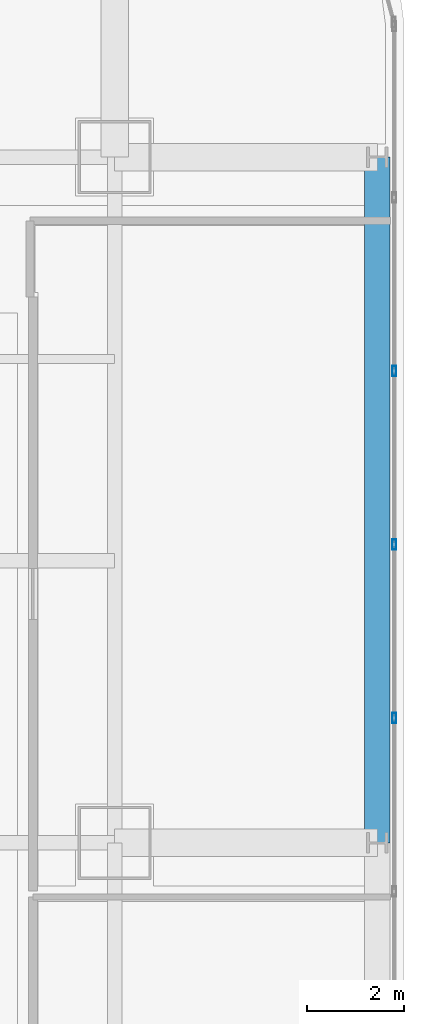
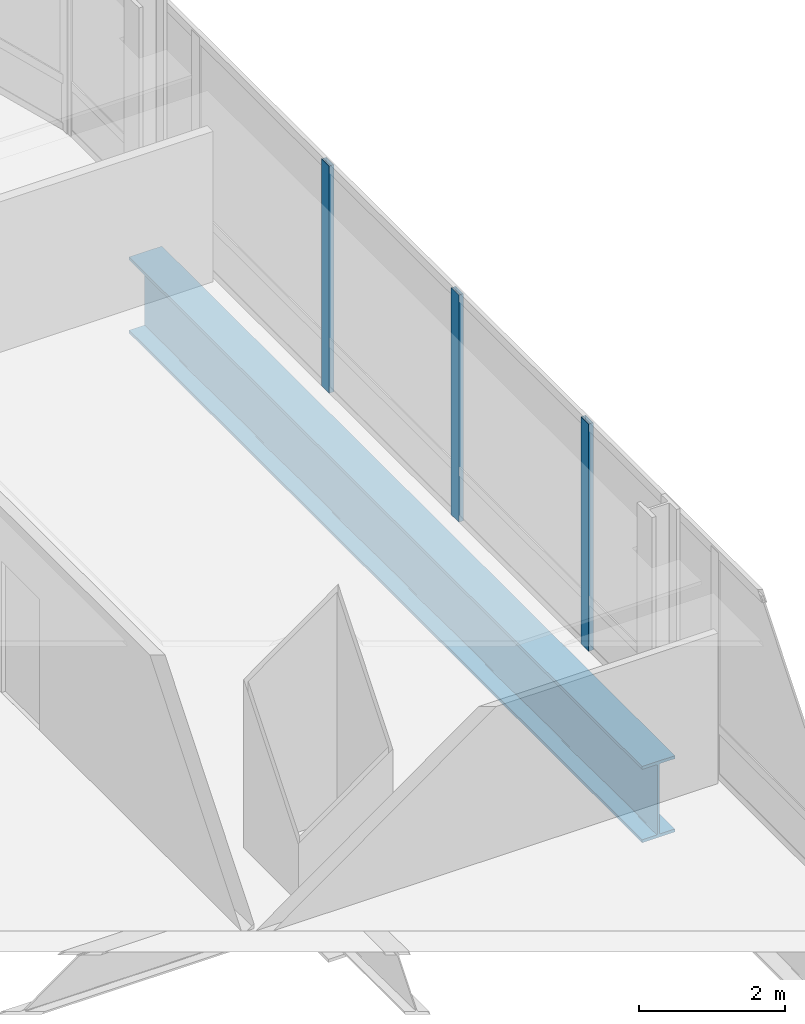
# One storey, part 18 of 34: 3 members, 1 beam, 1 element without a shape of its own.
"""IFC4 building model written with IfcOpenShell, lengths in metres."""

import ifcopenshell
import ifcopenshell.guid

model = None  # the IFC model being written
_history = None  # IfcOwnerHistory: only IFC2X3 demands one
_inside = {}  # id of a spatial element -> (the spatial element, [elements in it])
_under = {}  # id of a project, library or spatial element -> (it, [spatial elements below it])
_declared = {}  # id of a project -> (the project, [libraries it declares])
_typed = {}  # id of a type object -> (the type object, [elements of that type])
_made_of = {}  # id of a material, layer set ... -> (it, [elements and type objects made of it])


def new_model(schema):
    """Start an empty IFC model of exactly this schema.

    Asked for "IFC4X3", IfcOpenShell would pick the latest addendum, in which some entities
    have other attributes; the version numbers below select the first issue.
    IFC2X3 requires an IfcOwnerHistory on every rooted entity: one is made here for all.
    """
    global model, _history
    if schema == "IFC4X3":
        model = ifcopenshell.file(schema_version=(4, 3, 0, 0))
    else:
        model = ifcopenshell.file(schema=schema)
    _inside.clear()
    _under.clear()
    _declared.clear()
    _typed.clear()
    _made_of.clear()
    _history = None
    if model.schema == "IFC2X3":
        org = make("IfcOrganization", Name="unknown")
        user = make(
            "IfcPersonAndOrganization",
            ThePerson=make("IfcPerson", FamilyName="unknown"),
            TheOrganization=org,
        )
        app = make(
            "IfcApplication",
            ApplicationDeveloper=org,
            Version="unknown",
            ApplicationFullName="unknown",
            ApplicationIdentifier="unknown",
        )
        _history = make(
            "IfcOwnerHistory",
            OwningUser=user,
            OwningApplication=app,
            ChangeAction="ADDED",
            CreationDate=0,
        )
    return model


def make(cls, **values):
    """One entity of the class cls with the attributes given. An attribute that is None is left unset."""
    return model.create_entity(
        cls, **{name: value for name, value in values.items() if value is not None}
    )


def rooted(cls, **values):
    """An entity with a GlobalId (a new one), such as an element, a storey or a relation."""
    return make(cls, GlobalId=ifcopenshell.guid.new(), OwnerHistory=_history, **values)


def si_unit(unit_type, name, prefix=None):
    """IfcSIUnit, for example si_unit("LENGTHUNIT", "METRE", prefix="MILLI")."""
    return make("IfcSIUnit", UnitType=unit_type, Prefix=prefix, Name=name)


def assignment(units):
    """IfcUnitAssignment: the units of a project."""
    return None if units is None else make("IfcUnitAssignment", Units=units)


def point(xyz):
    """IfcCartesianPoint."""
    return None if xyz is None else make("IfcCartesianPoint", Coordinates=xyz)


def direction(xyz):
    """IfcDirection."""
    return None if xyz is None else make("IfcDirection", DirectionRatios=xyz)


def frame(location, z_axis=None, x_axis=None):
    """IfcAxis2Placement3D, a coordinate frame: its origin and axes. An axis left out is left unset."""
    return make(
        "IfcAxis2Placement3D",
        Location=point(location),
        Axis=direction(z_axis),
        RefDirection=direction(x_axis),
    )


def frame_2d(location, x_axis=None):
    """IfcAxis2Placement2D, a coordinate frame in the plane: its origin and x axis."""
    return make(
        "IfcAxis2Placement2D", Location=point(location), RefDirection=direction(x_axis)
    )


def origin():
    """The frame at (0, 0, 0) with its axes left unset."""
    return frame((0.0, 0.0, 0.0))


def origin_2d():
    """The frame at (0, 0) in the plane with its x axis left unset."""
    return frame_2d((0.0, 0.0))


def place(relative_to, where):
    """IfcLocalPlacement: puts the frame where relative to a parent placement (None: the world)."""
    return make(
        "IfcLocalPlacement", PlacementRelTo=relative_to, RelativePlacement=where
    )


def context(
    kind, dimensions, precision=None, world=None, true_north=None, identifier=None
):
    """IfcGeometricRepresentationContext, for example the 3D "Model" context."""
    return make(
        "IfcGeometricRepresentationContext",
        ContextIdentifier=identifier,
        ContextType=kind,
        CoordinateSpaceDimension=dimensions,
        Precision=precision,
        WorldCoordinateSystem=world,
        TrueNorth=true_north,
    )


def subcontext(parent, identifier, kind, view, scale=None):
    """IfcGeometricRepresentationSubContext, for example "Body" below "Model"."""
    return make(
        "IfcGeometricRepresentationSubContext",
        ContextIdentifier=identifier,
        ContextType=kind,
        ParentContext=parent,
        TargetScale=scale,
        TargetView=view,
    )


def project(units=None, contexts=None):
    """IfcProject with its units and contexts."""
    return rooted(
        "IfcProject",
        Name="project",
        RepresentationContexts=contexts,
        UnitsInContext=assignment(units),
    )


def spatial(cls, under=None, at=None, **own):
    """A site, building, storey or space (cls), placed at a placement, below another one or the project."""
    s = rooted(cls, ObjectPlacement=at, **own)
    if under is not None:
        _under.setdefault(under.id(), (under, []))[1].append(s)
    return s


def profile(cls, at=None, kind="AREA", **sizes):
    """A parametric profile (cls). Its sizes go by their IFC names, for example OverallWidth=200.0."""
    return make(cls, ProfileType=kind, Position=at, **sizes)


def hollow_rectangle(**sizes):
    """IfcRectangleHollowProfileDef."""
    return profile("IfcRectangleHollowProfileDef", **sizes)


def i_section(**sizes):
    """IfcIShapeProfileDef."""
    return profile("IfcIShapeProfileDef", **sizes)


def extrude(swept, where, along, depth):
    """IfcExtrudedAreaSolid: the profile swept, set in the frame where, extruded along a direction by depth."""
    return make(
        "IfcExtrudedAreaSolid",
        SweptArea=swept,
        Position=where,
        ExtrudedDirection=direction(along),
        Depth=depth,
    )


def shape(context_of_items, identifier, shape_type, items):
    """IfcShapeRepresentation: the items that make up one representation, for example the "Body"."""
    return make(
        "IfcShapeRepresentation",
        ContextOfItems=context_of_items,
        RepresentationIdentifier=identifier,
        RepresentationType=shape_type,
        Items=items,
    )


def material(Name=None, Category=None):
    """IfcMaterial."""
    return make("IfcMaterial", Name=Name, Category=Category)


def material_profile(
    of_material, cross_section, Name=None, Category=None, Priority=None
):
    """IfcMaterialProfile: a cross section and its material."""
    return make(
        "IfcMaterialProfile",
        Name=Name,
        Material=of_material,
        Profile=cross_section,
        Priority=Priority,
        Category=Category,
    )


def profile_set(profiles, Name=None, composite=None):
    """IfcMaterialProfileSet."""
    return make(
        "IfcMaterialProfileSet",
        Name=Name,
        MaterialProfiles=profiles,
        CompositeProfile=composite,
    )


def made_of(thing, what):
    """Note that an element or type object is made of a material, layer set ...; save() writes the relation."""
    if what is not None:
        _made_of.setdefault(what.id(), (what, []))[1].append(thing)
    return thing


def type_object(cls, material=None, **own):
    """A type object (cls), such as IfcWallType, which elements share."""
    return made_of(rooted(cls, **own), material)


def element(
    cls,
    number,
    at=None,
    inside=None,
    cuts=None,
    type_object=None,
    material=None,
    context=None,
    identifier="Body",
    shape_type=None,
    held_by="IfcProductDefinitionShape",
    body=None,
    shapes=None,
    **own,
):
    """One element of the class cls, such as IfcWall. Its Tag is "e" and its number.

    at: its placement. inside: the storey or other place that contains it. cuts: it is an
    opening in that element (IfcRelVoidsElement). A single representation is given by context,
    identifier, shape_type and body (its items); several are given by shapes. held_by: the class
    of the entity that holds the representations. save() writes the other relations.
    """
    e = rooted(cls, Tag="e%d" % number, ObjectPlacement=at, **own)
    if body is not None:
        shapes = [shape(context, identifier, shape_type, body)]
    if shapes is not None:
        e.Representation = make(held_by, Representations=shapes)
    if inside is not None:
        _inside.setdefault(inside.id(), (inside, []))[1].append(e)
    if cuts is not None:
        rooted(
            "IfcRelVoidsElement", RelatingBuildingElement=cuts, RelatedOpeningElement=e
        )
    if type_object is not None:
        _typed.setdefault(type_object.id(), (type_object, []))[1].append(e)
    return made_of(e, material)


def aggregate(whole, parts):
    """IfcRelAggregates: a whole, such as a stair, and the parts it consists of."""
    return rooted("IfcRelAggregates", RelatingObject=whole, RelatedObjects=parts)


def save(model, path):
    """Write the relations noted so far, then the file.

    IfcRelAggregates (storeys below a building ...), IfcRelContainedInSpatialStructure (elements
    in a storey), IfcRelDefinesByType, IfcRelAssociatesMaterial and IfcRelDeclares: one each for
    every whole, place, type object, material and project.
    """
    for whole, parts in _under.values():
        aggregate(whole, parts)
    for where, things in _inside.values():
        rooted(
            "IfcRelContainedInSpatialStructure",
            RelatedElements=things,
            RelatingStructure=where,
        )
    for kind, things in _typed.values():
        rooted("IfcRelDefinesByType", RelatedObjects=things, RelatingType=kind)
    for what, things in _made_of.values():
        rooted("IfcRelAssociatesMaterial", RelatedObjects=things, RelatingMaterial=what)
    for by, libraries in _declared.values():
        rooted("IfcRelDeclares", RelatingContext=by, RelatedDefinitions=libraries)
    model.write(path)


model = new_model("IFC4")

# Units and contexts
model_context = context("Model", 3, precision=1e-05, world=origin(), true_north=direction((0.0, 1.0)))
body_context = subcontext(model_context, "Body", "Model", "MODEL_VIEW")
ifc_project = project(units=[si_unit("LENGTHUNIT", "METRE"), si_unit("AREAUNIT", "SQUARE_METRE"), si_unit("VOLUMEUNIT", "CUBIC_METRE"), si_unit("PLANEANGLEUNIT", "RADIAN"), si_unit("MASSUNIT", "GRAM", prefix="KILO")], contexts=[model_context])

# Site, building, storey
site_placement = place(None, origin())
site = spatial("IfcSite", under=ifc_project, at=site_placement, CompositionType="ELEMENT")
building_placement = place(site_placement, origin())
building = spatial("IfcBuilding", under=site, at=building_placement, Name="Punatoya Terracotta Tower", CompositionType="ELEMENT")
storey_placement = place(building_placement, frame((0.0, 0.0, 101.10009765625)))
storey = spatial("IfcBuildingStorey", under=building, at=storey_placement, Name="L23", CompositionType="ELEMENT", Elevation=101.10009765625)

# Beam
ifc_material_1 = material(Name="Steel S460", Category="steel")
ifc_material_profile_1 = material_profile(ifc_material_1, i_section(OverallWidth=0.52001953125, OverallDepth=1.280029296875, WebThickness=0.031982421875, FlangeThickness=0.050048828125, FilletRadius=0.01806640625, at=origin_2d()))
ifc_profile_set_1 = profile_set([ifc_material_profile_1], Name="Steel S460")
beam_type = type_object("IfcBeamType", Name="BM-TG-NCK", PredefinedType="BEAM", material=ifc_profile_set_1)
beam_placement = place(storey_placement, frame((24.5, 3.39990234375, -0.880126953125), z_axis=(0.0, 1.0, 0.0), x_axis=(-1.0, 0.0, 0.0)))
element("IfcBeam", 1, at=beam_placement, inside=storey, type_object=beam_type, Name="BM-L23-PER-E3", PredefinedType="BEAM", context=body_context, shape_type="SweptSolid", body=[
    extrude(i_section(OverallWidth=0.52001953125, OverallDepth=1.280029296875, WebThickness=0.031982421875, FlangeThickness=0.050048828125, FilletRadius=0.01806640625, at=origin_2d()), origin(), (0.0, 0.0, 1.0), 14.10009765625),
])

# Curtain wall, members
ifc_material_2 = material(Name="Aluminium 6063-T6 + Double Low-E Glass", Category="aluminium")
curtain_wall_type = type_object("IfcCurtainWallType", Name="CW-M1", PredefinedType="NOTDEFINED", material=ifc_material_2)
curtain_wall_placement = place(storey_placement, origin())
curtain_wall = element("IfcCurtainWall", 2, at=curtain_wall_placement, inside=storey, type_object=curtain_wall_type, Name="L23 Curtain Wall CW-L23-E05-1", PredefinedType="NOTDEFINED")
ifc_material_3 = material(Name="Aluminium 6063-T6", Category="aluminium")
ifc_material_profile_2 = material_profile(ifc_material_3, hollow_rectangle(XDim=0.074951171875, YDim=0.2099609375, WallThickness=0.00439453125, at=origin_2d()))
ifc_profile_set_2 = profile_set([ifc_material_profile_2], Name="Aluminium 6063-T6")
member_type = type_object("IfcMemberType", Name="CW-MUL-M1", PredefinedType="MULLION", material=ifc_profile_set_2)
member_1_placement = place(storey_placement, frame((24.85009765625, 5.96728515625, 0.0), z_axis=(0.0, 0.0, 1.0), x_axis=(1.0, 0.0, 0.0)))
member_1 = element("IfcMember", 3, at=member_1_placement, type_object=member_type, Name="CW-L23-E05-1 Mullion 06", PredefinedType="MULLION", context=body_context, shape_type="SweptSolid", body=[
    extrude(hollow_rectangle(XDim=0.074951171875, YDim=0.2099609375, WallThickness=0.00439453125, at=origin_2d()), origin(), (0.0, 0.0, 1.0), 3.809814453125),
])
member_2_placement = place(storey_placement, frame((24.85009765625, 9.534912109375, 0.0), z_axis=(0.0, 0.0, 1.0), x_axis=(1.0, 0.0, 0.0)))
member_2 = element("IfcMember", 4, at=member_2_placement, type_object=member_type, Name="CW-L23-E05-1 Mullion 07", PredefinedType="MULLION", context=body_context, shape_type="SweptSolid", body=[
    extrude(hollow_rectangle(XDim=0.074951171875, YDim=0.2099609375, WallThickness=0.00439453125, at=origin_2d()), origin(), (0.0, 0.0, 1.0), 3.809814453125),
])
member_3_placement = place(storey_placement, frame((24.85009765625, 13.10205078125, 0.0), z_axis=(0.0, 0.0, 1.0), x_axis=(1.0, 0.0, 0.0)))
member_3 = element("IfcMember", 5, at=member_3_placement, type_object=member_type, Name="CW-L23-E05-1 Mullion 08", PredefinedType="MULLION", context=body_context, shape_type="SweptSolid", body=[
    extrude(hollow_rectangle(XDim=0.074951171875, YDim=0.2099609375, WallThickness=0.00439453125, at=origin_2d()), origin(), (0.0, 0.0, 1.0), 3.809814453125),
])
aggregate(curtain_wall, [member_1, member_2, member_3])

save(model, "model.ifc")
